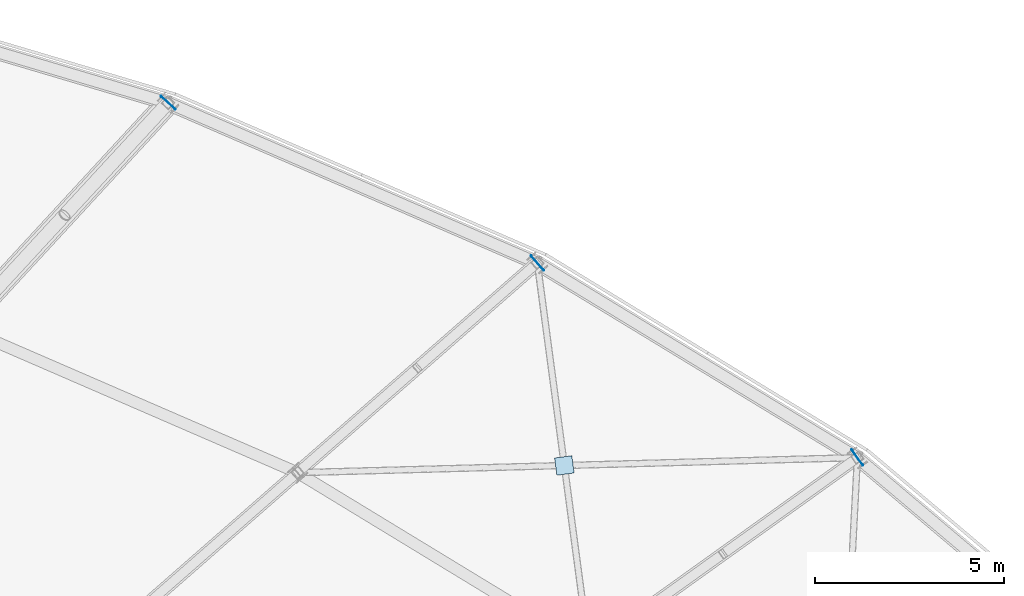
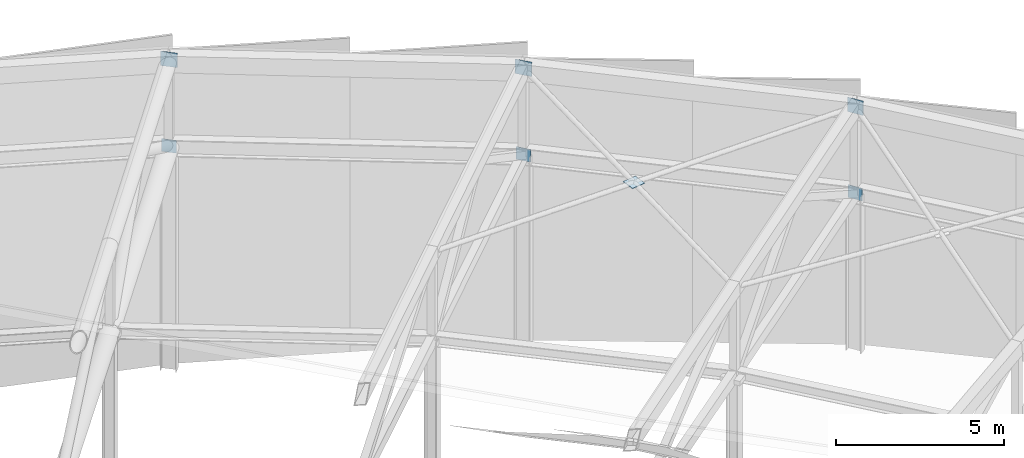
# One storey, part 136 of 143: 7 plates.
"""IFC4 building model written with IfcOpenShell, lengths in metres."""

from ifc_helpers import new_model, si_unit, direction, frame, origin, origin_2d, place, context, subcontext, project, spatial, rectangle, extrude, material, layer, layer_set, type_object, element, save


model = new_model("IFC4")

# Units and contexts
model_context = context("Model", 3, precision=1e-05, world=origin(), true_north=direction((0.0, 1.0)))
body_context = subcontext(model_context, "Body", "Model", "MODEL_VIEW")
ifc_project = project(units=[si_unit("LENGTHUNIT", "METRE"), si_unit("AREAUNIT", "SQUARE_METRE"), si_unit("VOLUMEUNIT", "CUBIC_METRE"), si_unit("PLANEANGLEUNIT", "RADIAN"), si_unit("MASSUNIT", "GRAM", prefix="KILO")], contexts=[model_context])

# Site, building, storey
site_placement = place(None, origin())
site = spatial("IfcSite", under=ifc_project, at=site_placement, CompositionType="ELEMENT")
building_placement = place(site_placement, origin())
building = spatial("IfcBuilding", under=site, at=building_placement, Name="Mphavela Belvedere Stadium", CompositionType="ELEMENT")
storey_placement = place(building_placement, frame((0.0, 0.0, 28.800048828125)))
storey = spatial("IfcBuildingStorey", under=building, at=storey_placement, Name="RF", CompositionType="ELEMENT", Elevation=28.800048828125)

# Plates
ifc_material_1 = material(Name="Steel S355", Category="steel")
ifc_layer_1 = layer(ifc_material_1, 0.01806640625)
ifc_layer_set_1 = layer_set([ifc_layer_1], Name="Steel S355")
plate_type_1 = type_object("IfcPlateType", Name="PLT-CAP-TRUSS-BC", PredefinedType="USERDEFINED", material=ifc_layer_set_1)
plate_1_placement = place(storey_placement, frame((194.155517578125, 143.714599609375, 5.48095703125), z_axis=(0.0, 0.0, 1.0), x_axis=(0.812897512265, 0.582406760395, 0.0)))
element("IfcPlate", 1, at=plate_1_placement, inside=storey, type_object=plate_type_1, Name="Roof truss RT-07 hollow-end cap plate out_bc", ObjectType="GUSSET_PLATE", PredefinedType="USERDEFINED", context=body_context, shape_type="SweptSolid", body=[
    extrude(rectangle(XDim=0.01806640625, YDim=0.4599609375, at=origin_2d()), origin(), (0.0, 0.0, 1.0), 0.4599609375),
])
plate_2_placement = place(storey_placement, frame((186.410888671875, 143.50634765625, 8.91552734375), z_axis=(0.0, 0.0, 1.0), x_axis=(-0.132256390257, 0.991215540252, 0.0)))
element("IfcPlate", 2, at=plate_2_placement, inside=storey, type_object=plate_type_1, Name="Roof X-brace crossing gusset node plate 07", ObjectType="GUSSET_PLATE", PredefinedType="USERDEFINED", context=body_context, shape_type="SweptSolid", body=[
    extrude(rectangle(XDim=0.4599609375, YDim=0.4599609375, at=origin_2d()), origin(), (0.0, 0.0, 1.0), 0.01806640625),
])
for number, where, z_axis, x_axis, name in (
    (3, (185.6962890625, 148.86083984375, 6.723388671875), (0.0, 0.0, 1.0), (0.752529860433, 0.658558128912, 0.0), "Roof truss RT-08 hollow-end cap plate out_bc"),
    (4, (175.9375, 153.09130859375, 7.880859375), (0.0, 0.0, 1.0), (0.677903094969, 0.735151272753, 0.0), "Roof truss RT-09 hollow-end cap plate out_bc"),
):
    element("IfcPlate", number, at=place(storey_placement, frame(where, z_axis=z_axis, x_axis=x_axis)), inside=storey, type_object=plate_type_1, Name=name, ObjectType="GUSSET_PLATE", PredefinedType="USERDEFINED", context=body_context, shape_type="SweptSolid", body=[
        extrude(rectangle(XDim=0.01806640625, YDim=0.4599609375, at=origin_2d()), origin(), (0.0, 0.0, 1.0), 0.4599609375),
    ])
ifc_material_2 = material(Name="Steel S355", Category="steel")
ifc_layer_2 = layer(ifc_material_2, 0.02001953125)
ifc_layer_set_2 = layer_set([ifc_layer_2], Name="Steel S355")
plate_type_2 = type_object("IfcPlateType", Name="PLT-CAP-TRUSS-TC", PredefinedType="USERDEFINED", material=ifc_layer_set_2)
for number, where, z_axis, x_axis, name in (
    (5, (194.155517578125, 143.714599609375, 8.600830078125), (0.0, 0.0, 1.0), (0.812897512265, 0.582406760395, 0.0), "Roof truss RT-07 hollow-end cap plate out_tc"),
    (6, (185.6962890625, 148.86083984375, 9.84326171875), (0.0, 0.0, 1.0), (0.752529860433, 0.658558128912, 0.0), "Roof truss RT-08 hollow-end cap plate out_tc"),
    (7, (175.9375, 153.09130859375, 11.0009765625), (0.0, 0.0, 1.0), (0.677903094969, 0.735151272753, 0.0), "Roof truss RT-09 hollow-end cap plate out_tc"),
):
    element("IfcPlate", number, at=place(storey_placement, frame(where, z_axis=z_axis, x_axis=x_axis)), inside=storey, type_object=plate_type_2, Name=name, ObjectType="GUSSET_PLATE", PredefinedType="USERDEFINED", context=body_context, shape_type="SweptSolid", body=[
        extrude(rectangle(XDim=0.02001953125, YDim=0.52001953125, at=origin_2d()), origin(), (0.0, 0.0, 1.0), 0.52001953125),
    ])

save(model, "model.ifc")
